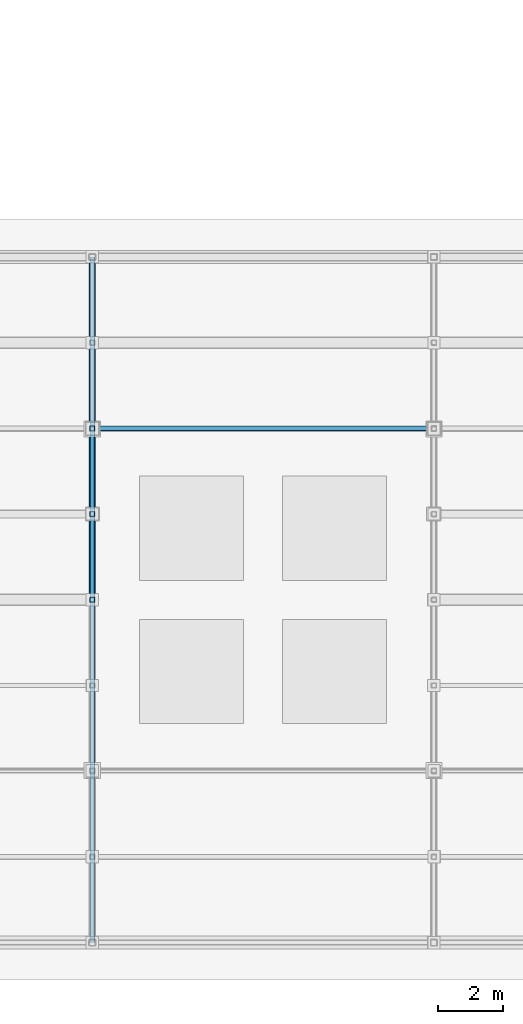
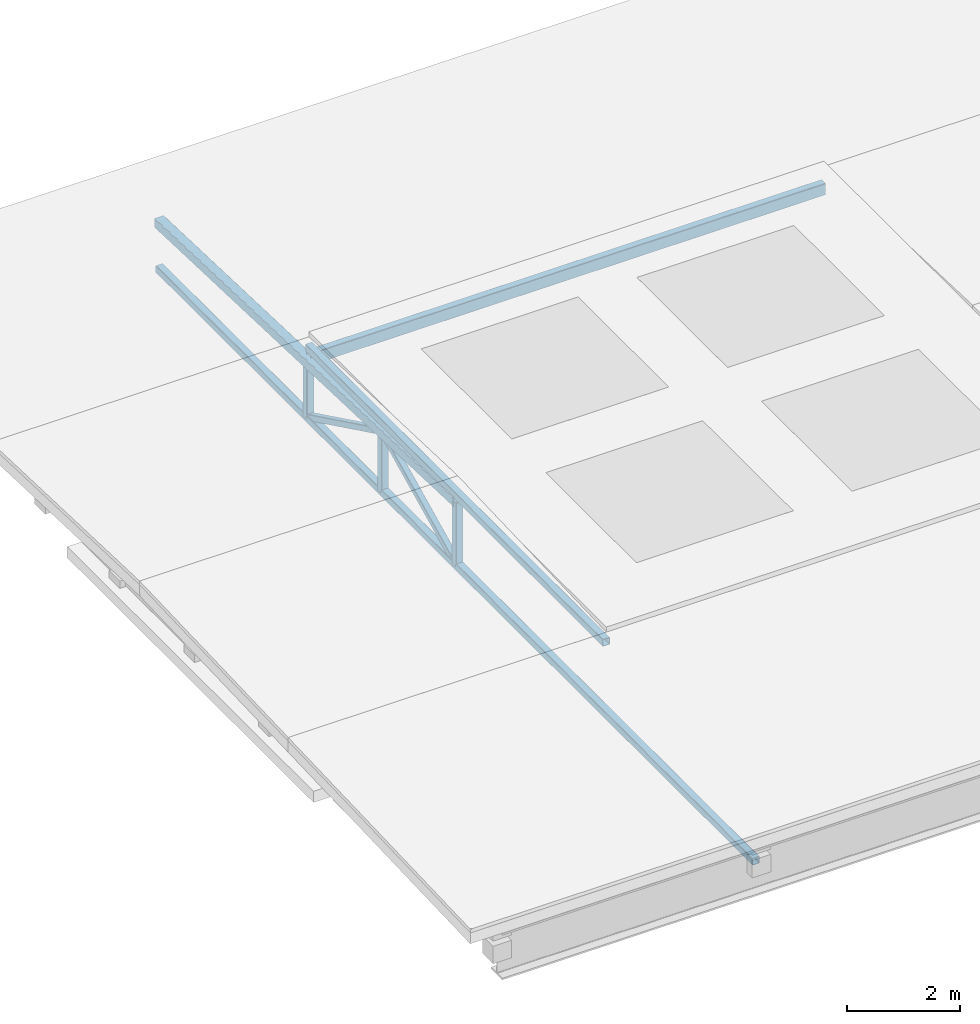
# One storey, part 3 of 25: 6 members, 3 beams.
"""IFC4 building model written with IfcOpenShell, lengths in metres."""

from ifc_helpers import new_model, si_unit, direction, frame, origin, origin_2d, place, context, subcontext, project, spatial, hollow_rectangle, extrude, material, material_profile, profile_set, type_object, element, save


model = new_model("IFC4")

# Units and contexts
model_context = context("Model", 3, precision=1e-05, world=origin(), true_north=direction((0.0, 1.0)))
body_context = subcontext(model_context, "Body", "Model", "MODEL_VIEW")
ifc_project = project(units=[si_unit("LENGTHUNIT", "METRE"), si_unit("AREAUNIT", "SQUARE_METRE"), si_unit("VOLUMEUNIT", "CUBIC_METRE"), si_unit("PLANEANGLEUNIT", "RADIAN"), si_unit("MASSUNIT", "GRAM", prefix="KILO"), si_unit("THERMODYNAMICTEMPERATUREUNIT", "KELVIN"), si_unit("POWERUNIT", "WATT")], contexts=[model_context])

# Site, building, storey
site_placement = place(None, origin())
site = spatial("IfcSite", under=ifc_project, at=site_placement, CompositionType="ELEMENT")
building_placement = place(site_placement, origin())
building = spatial("IfcBuilding", under=site, at=building_placement, Name="Zelmaris Science Centre", CompositionType="ELEMENT")
storey_placement = place(building_placement, frame((0.0, 0.0, 30.0)))
storey = spatial("IfcBuildingStorey", under=building, at=storey_placement, Name="RF", CompositionType="ELEMENT", Elevation=30.0)

# Beams
ifc_material = material(Name="Steel ASTM A500 Grade C", Category="steel")
ifc_material_profile_1 = material_profile(ifc_material, hollow_rectangle(XDim=0.203125, YDim=0.203125, WallThickness=0.01171875, InnerFilletRadius=0.01171875, OuterFilletRadius=0.023681640625, at=origin_2d()), Name="HSS203X203X13")
ifc_profile_set_1 = profile_set([ifc_material_profile_1], Name="Steel ASTM A500 Grade C")
beam_type_1 = type_object("IfcBeamType", Name="Beam G-20 HSS203X203X13", PredefinedType="BEAM", material=ifc_profile_set_1)
beam_1_placement = place(storey_placement, frame((75.75, 36.0, 1.728271484375), z_axis=(0.0, 0.99934977862, -0.036055789719), x_axis=(-1.0, 0.0, 0.0)))
element("IfcBeam", 1, at=beam_1_placement, inside=storey, type_object=beam_type_1, Name="RF-V2 Roof truss 2 north top chord", PredefinedType="BEAM", context=body_context, shape_type="SweptSolid", body=[
    extrude(hollow_rectangle(XDim=0.203125, YDim=0.203125, WallThickness=0.01171875, InnerFilletRadius=0.01171875, OuterFilletRadius=0.023681640625, at=origin_2d()), origin(), (0.0, 0.0, 1.0), 10.542724609375),
])
ifc_material_profile_2 = material_profile(ifc_material, hollow_rectangle(XDim=0.15234375, YDim=0.15234375, WallThickness=0.0087890625, InnerFilletRadius=0.0087890625, OuterFilletRadius=0.017822265625, at=origin_2d()), Name="HSS152X152X10")
ifc_profile_set_2 = profile_set([ifc_material_profile_2], Name="Steel ASTM A500 Grade C")
beam_type_2 = type_object("IfcBeamType", Name="Beam G-21 HSS152X152X10", PredefinedType="BEAM", material=ifc_profile_set_2)
beam_2_placement = place(storey_placement, frame((75.75, 25.464111328125, 0.34814453125), z_axis=(0.0, 1.0, 0.0), x_axis=(-1.0, 0.0, 0.0)))
element("IfcBeam", 2, at=beam_2_placement, inside=storey, type_object=beam_type_2, Name="RF-V2 Roof truss 2 bottom chord", PredefinedType="BEAM", context=body_context, shape_type="SweptSolid", body=[
    extrude(hollow_rectangle(XDim=0.15234375, YDim=0.15234375, WallThickness=0.0087890625, InnerFilletRadius=0.0087890625, OuterFilletRadius=0.017822265625, at=origin_2d()), origin(), (0.0, 0.0, 1.0), 21.07177734375),
])
beam_3_placement = place(storey_placement, frame((75.75, 30.75, 1.860107421875), z_axis=(0.0, 1.0, 0.0), x_axis=(-1.0, 0.0, 0.0)))
element("IfcBeam", 3, at=beam_3_placement, inside=storey, type_object=beam_type_2, Name="RF-V2 Lantern transverse header 2", PredefinedType="BEAM", context=body_context, shape_type="SweptSolid", body=[
    extrude(hollow_rectangle(XDim=0.15234375, YDim=0.15234375, WallThickness=0.0087890625, InnerFilletRadius=0.0087890625, OuterFilletRadius=0.017822265625, at=origin_2d()), origin(), (0.0, 0.0, 1.0), 10.5),
])

# Members
ifc_material_profile_3 = material_profile(ifc_material, hollow_rectangle(XDim=0.15234375, YDim=0.25390625, WallThickness=0.0087890625, InnerFilletRadius=0.0087890625, OuterFilletRadius=0.017822265625, at=origin_2d()), Name="HSS254X152X10")
ifc_profile_set_3 = profile_set([ifc_material_profile_3], Name="Steel ASTM A500 Grade C")
member_type_1 = type_object("IfcMemberType", Name="Roof Purlin PR-01 HSS254X152X10", PredefinedType="PURLIN", material=ifc_profile_set_3)
member_1_placement = place(storey_placement, frame((75.75, 41.267822265625, 1.60791015625), z_axis=(1.0, 0.0, 0.0), x_axis=(0.0, 1.0, 0.0)))
element("IfcMember", 4, at=member_1_placement, inside=storey, type_object=member_type_1, Name="RF-V2 Roof purlin 13", PredefinedType="PURLIN", context=body_context, shape_type="SweptSolid", body=[
    extrude(hollow_rectangle(XDim=0.15234375, YDim=0.25390625, WallThickness=0.0087890625, InnerFilletRadius=0.0087890625, OuterFilletRadius=0.017822265625, at=origin_2d()), origin(), (0.0, 0.0, 1.0), 10.5),
])
ifc_material_profile_4 = material_profile(ifc_material, hollow_rectangle(XDim=0.15234375, YDim=0.15234375, WallThickness=0.0087890625, InnerFilletRadius=0.0087890625, OuterFilletRadius=0.017822265625, at=origin_2d()), Name="HSS152X152X10")
ifc_profile_set_4 = profile_set([ifc_material_profile_4], Name="Steel ASTM A500 Grade C")
member_type_2 = type_object("IfcMemberType", Name="Structural Brace BR-03 HSS152X152X10", PredefinedType="BRACE", material=ifc_profile_set_4)
member_2_placement = place(storey_placement, frame((75.75, 36.0, 0.34814453125), z_axis=(0.0, 0.0, 1.0), x_axis=(1.0, 0.0, 0.0)))
element("IfcMember", 5, at=member_2_placement, inside=storey, type_object=member_type_2, Name="RF-V2 Roof truss 2 vertical web 4", PredefinedType="BRACE", context=body_context, shape_type="SweptSolid", body=[
    extrude(hollow_rectangle(XDim=0.15234375, YDim=0.15234375, WallThickness=0.0087890625, InnerFilletRadius=0.0087890625, OuterFilletRadius=0.017822265625, at=origin_2d()), origin(), (0.0, 0.0, 1.0), 1.380126953125),
])
member_3_placement = place(storey_placement, frame((75.75, 38.634033203125, 0.34814453125), z_axis=(0.0, 0.0, 1.0), x_axis=(1.0, 0.0, 0.0)))
element("IfcMember", 6, at=member_3_placement, inside=storey, type_object=member_type_2, Name="RF-V2 Roof truss 2 vertical web 5", PredefinedType="BRACE", context=body_context, shape_type="SweptSolid", body=[
    extrude(hollow_rectangle(XDim=0.15234375, YDim=0.15234375, WallThickness=0.0087890625, InnerFilletRadius=0.0087890625, OuterFilletRadius=0.017822265625, at=origin_2d()), origin(), (0.0, 0.0, 1.0), 1.28515625),
])
member_4_placement = place(storey_placement, frame((75.75, 41.267822265625, 0.34814453125), z_axis=(0.0, 0.0, 1.0), x_axis=(1.0, 0.0, 0.0)))
element("IfcMember", 7, at=member_4_placement, inside=storey, type_object=member_type_2, Name="RF-V2 Roof truss 2 vertical web 6", PredefinedType="BRACE", context=body_context, shape_type="SweptSolid", body=[
    extrude(hollow_rectangle(XDim=0.15234375, YDim=0.15234375, WallThickness=0.0087890625, InnerFilletRadius=0.0087890625, OuterFilletRadius=0.017822265625, at=origin_2d()), origin(), (0.0, 0.0, 1.0), 1.18994140625),
])
ifc_material_profile_5 = material_profile(ifc_material, hollow_rectangle(XDim=0.126953125, YDim=0.126953125, WallThickness=0.00732421875, InnerFilletRadius=0.00732421875, OuterFilletRadius=0.014892578125, at=origin_2d()), Name="HSS127X127X8")
ifc_profile_set_5 = profile_set([ifc_material_profile_5], Name="Steel ASTM A500 Grade C")
member_type_3 = type_object("IfcMemberType", Name="Structural Brace BR-04 HSS127X127X8", PredefinedType="BRACE", material=ifc_profile_set_5)
member_5_placement = place(storey_placement, frame((75.75, 36.0, 0.34814453125), z_axis=(0.0, 0.898733216997, 0.438495843384), x_axis=(-1.0, 0.0, 0.0)))
element("IfcMember", 8, at=member_5_placement, inside=storey, type_object=member_type_3, Name="RF-V2 Roof truss 2 web diagonal 5", PredefinedType="BRACE", context=body_context, shape_type="SweptSolid", body=[
    extrude(hollow_rectangle(XDim=0.126953125, YDim=0.126953125, WallThickness=0.00732421875, InnerFilletRadius=0.00732421875, OuterFilletRadius=0.014892578125, at=origin_2d()), origin(), (0.0, 0.0, 1.0), 2.930908203125),
])
member_6_placement = place(storey_placement, frame((75.75, 38.634033203125, 1.63330078125), z_axis=(0.0, 0.898717198221, -0.438528673659), x_axis=(-1.0, 0.0, 0.0)))
element("IfcMember", 9, at=member_6_placement, inside=storey, type_object=member_type_3, Name="RF-V2 Roof truss 2 web diagonal 6", PredefinedType="BRACE", context=body_context, shape_type="SweptSolid", body=[
    extrude(hollow_rectangle(XDim=0.126953125, YDim=0.126953125, WallThickness=0.00732421875, InnerFilletRadius=0.00732421875, OuterFilletRadius=0.014892578125, at=origin_2d()), origin(), (0.0, 0.0, 1.0), 2.9306640625),
])

save(model, "model.ifc")
